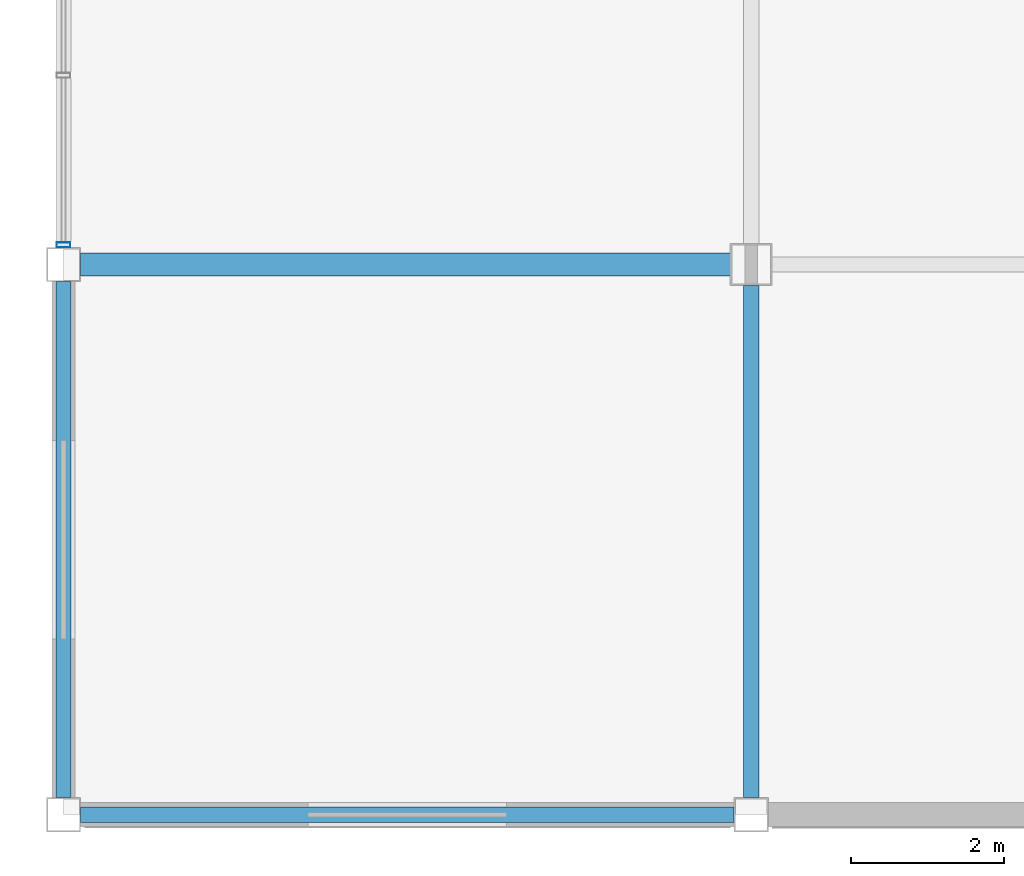
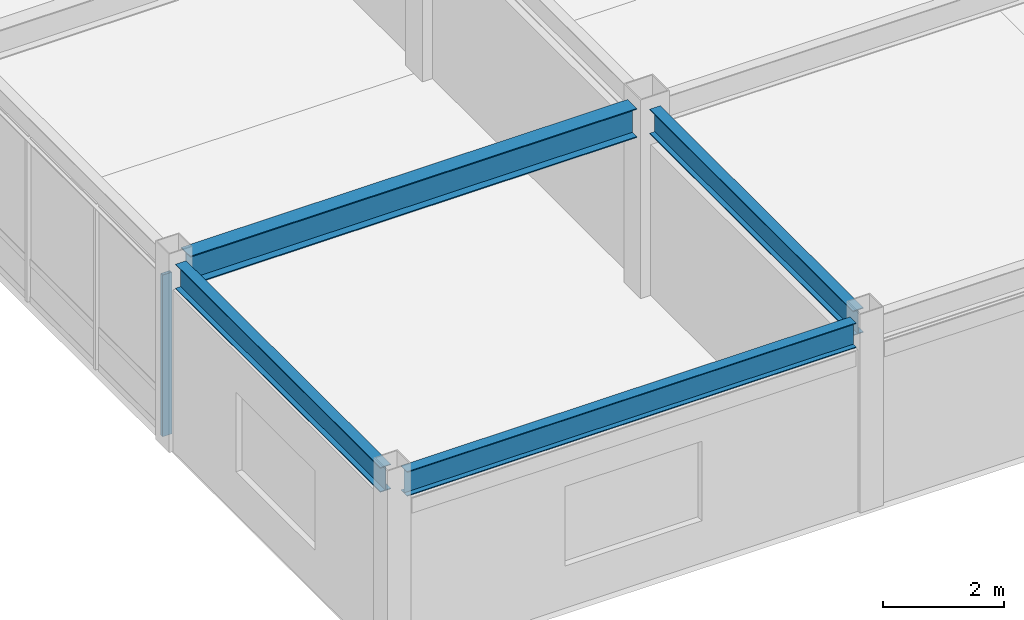
# One storey, part 11 of 122: 4 beams, 1 member, 1 element without a shape of its own.
"""IFC4 building model written with IfcOpenShell, lengths in metres."""

from ifc_helpers import new_model, si_unit, direction, frame, origin, origin_2d, place, context, subcontext, project, spatial, hollow_rectangle, i_section, extrude, material, material_profile, profile_set, type_object, element, aggregate, save


model = new_model("IFC4")

# Units and contexts
model_context = context("Model", 3, precision=1e-05, world=origin(), true_north=direction((0.0, 1.0)))
body_context = subcontext(model_context, "Body", "Model", "MODEL_VIEW")
ifc_project = project(units=[si_unit("LENGTHUNIT", "METRE"), si_unit("AREAUNIT", "SQUARE_METRE"), si_unit("VOLUMEUNIT", "CUBIC_METRE"), si_unit("PLANEANGLEUNIT", "RADIAN"), si_unit("MASSUNIT", "GRAM", prefix="KILO")], contexts=[model_context])

# Site, building, storey
site_placement = place(None, origin())
site = spatial("IfcSite", under=ifc_project, at=site_placement, CompositionType="ELEMENT")
building_placement = place(site_placement, origin())
building = spatial("IfcBuilding", under=site, at=building_placement, Name="Kazanami Central Library", CompositionType="ELEMENT")
storey_placement = place(building_placement, frame((0.0, 0.0, 4.800048828125)))
storey = spatial("IfcBuildingStorey", under=building, at=storey_placement, Name="L02", CompositionType="ELEMENT", Elevation=4.800048828125)

# Beams
ifc_material_1 = material(Name="Steel SN490B (325 MPa)", Category="steel")
ifc_material_profile_1 = material_profile(ifc_material_1, i_section(OverallWidth=0.300048828125, OverallDepth=0.587890625, WebThickness=0.011962890625, FlangeThickness=0.02001953125, at=origin_2d()), Name="H-588x300x12x20")
ifc_profile_set_1 = profile_set([ifc_material_profile_1], Name="Steel SN490B (325 MPa)")
beam_type_1 = type_object("IfcBeamType", Name="BM-G-X2", PredefinedType="BEAM", material=ifc_profile_set_1)
beam_1_placement = place(storey_placement, frame((0.222900390625, 7.199951171875, 3.4609375), z_axis=(1.0, 0.0, 0.0), x_axis=(0.0, 1.0, 0.0)))
element("IfcBeam", 1, at=beam_1_placement, inside=storey, type_object=beam_type_1, Name="Girder G-X2 L02 B/1-2", PredefinedType="BEAM", context=body_context, shape_type="SweptSolid", body=[
    extrude(i_section(OverallWidth=0.300048828125, OverallDepth=0.587890625, WebThickness=0.011962890625, FlangeThickness=0.02001953125, at=origin_2d()), origin(), (0.0, 0.0, 1.0), 8.504150390625),
])
ifc_material_profile_2 = material_profile(ifc_material_1, i_section(OverallWidth=0.199951171875, OverallDepth=0.5, WebThickness=0.010009765625, FlangeThickness=0.01611328125, at=origin_2d()), Name="H-500x200x10x16")
ifc_profile_set_2 = profile_set([ifc_material_profile_2], Name="Steel SN490B (325 MPa)")
beam_type_2 = type_object("IfcBeamType", Name="BM-G-Y2", PredefinedType="BEAM", material=ifc_profile_set_2)
beam_2_placement = place(storey_placement, frame((9.0, 0.222900390625, 3.5048828125), z_axis=(0.0, 1.0, 0.0), x_axis=(-1.0, 0.0, 0.0)))
element("IfcBeam", 2, at=beam_2_placement, inside=storey, type_object=beam_type_2, Name="Girder G-Y2 L02 2/A-B", PredefinedType="BEAM", context=body_context, shape_type="SweptSolid", body=[
    extrude(i_section(OverallWidth=0.199951171875, OverallDepth=0.5, WebThickness=0.010009765625, FlangeThickness=0.01611328125, at=origin_2d()), origin(), (0.0, 0.0, 1.0), 6.7041015625),
])
ifc_material_profile_3 = material_profile(ifc_material_1, i_section(OverallWidth=0.199951171875, OverallDepth=0.5, WebThickness=0.010009765625, FlangeThickness=0.01611328125, at=origin_2d()), Name="H-500x200x10x16")
ifc_profile_set_3 = profile_set([ifc_material_profile_3], Name="Steel SN490B (325 MPa)")
beam_type_3 = type_object("IfcBeamType", Name="BM-SP-1", PredefinedType="SPANDREL", material=ifc_profile_set_3)
beam_3_placement = place(storey_placement, frame((0.222900390625, 0.0, 3.5048828125), z_axis=(1.0, 0.0, 0.0), x_axis=(0.0, 1.0, 0.0)))
element("IfcBeam", 3, at=beam_3_placement, inside=storey, type_object=beam_type_3, Name="Girder SP-1 L02 A/1-2", PredefinedType="SPANDREL", context=body_context, shape_type="SweptSolid", body=[
    extrude(i_section(OverallWidth=0.199951171875, OverallDepth=0.5, WebThickness=0.010009765625, FlangeThickness=0.01611328125, at=origin_2d()), origin(), (0.0, 0.0, 1.0), 8.55419921875),
])
beam_4_placement = place(storey_placement, frame((0.0, 0.222900390625, 3.5048828125), z_axis=(0.0, 1.0, 0.0), x_axis=(-1.0, 0.0, 0.0)))
element("IfcBeam", 4, at=beam_4_placement, inside=storey, type_object=beam_type_3, Name="Girder SP-1 L02 1/A-B", PredefinedType="SPANDREL", context=body_context, shape_type="SweptSolid", body=[
    extrude(i_section(OverallWidth=0.199951171875, OverallDepth=0.5, WebThickness=0.010009765625, FlangeThickness=0.01611328125, at=origin_2d()), origin(), (0.0, 0.0, 1.0), 6.754150390625),
])

# Curtain wall, member
ifc_material_2 = material(Name="Acid-Etched Low-E Laminated Glass", Category="glass")
curtain_wall_type = type_object("IfcCurtainWallType", Name="CW-6750x3255-M225", PredefinedType="USERDEFINED", material=ifc_material_2)
curtain_wall_placement = place(storey_placement, origin())
curtain_wall = element("IfcCurtainWall", 5, at=curtain_wall_placement, inside=storey, type_object=curtain_wall_type, Name="Unitised Curtain Wall CW-20 L02 W-1-01", ObjectType="UNITISED CURTAIN WALL", PredefinedType="USERDEFINED")
ifc_material_3 = material(Name="Anodised Aluminium A6063-T5", Category="aluminium")
ifc_material_profile_4 = material_profile(ifc_material_3, hollow_rectangle(XDim=0.06494140625, YDim=0.179931640625, WallThickness=0.00390625, at=origin_2d()), Name="ALU-MULL-65x180x4")
ifc_profile_set_4 = profile_set([ifc_material_profile_4], Name="Anodised Aluminium A6063-T5")
member_type = type_object("IfcMemberType", Name="MEM-CW-M2", PredefinedType="MULLION", material=ifc_profile_set_4)
member_placement = place(storey_placement, frame((0.0, 7.45751953125, 0.0), z_axis=(0.0, 0.0, 1.0), x_axis=(0.0, 1.0, 0.0)))
member = element("IfcMember", 6, at=member_placement, type_object=member_type, Name="CW-20 mullion 1", PredefinedType="MULLION", context=body_context, shape_type="SweptSolid", body=[
    extrude(hollow_rectangle(XDim=0.06494140625, YDim=0.179931640625, WallThickness=0.00390625, at=origin_2d()), origin(), (0.0, 0.0, 1.0), 3.2548828125),
])
aggregate(curtain_wall, [member])

save(model, "model.ifc")
